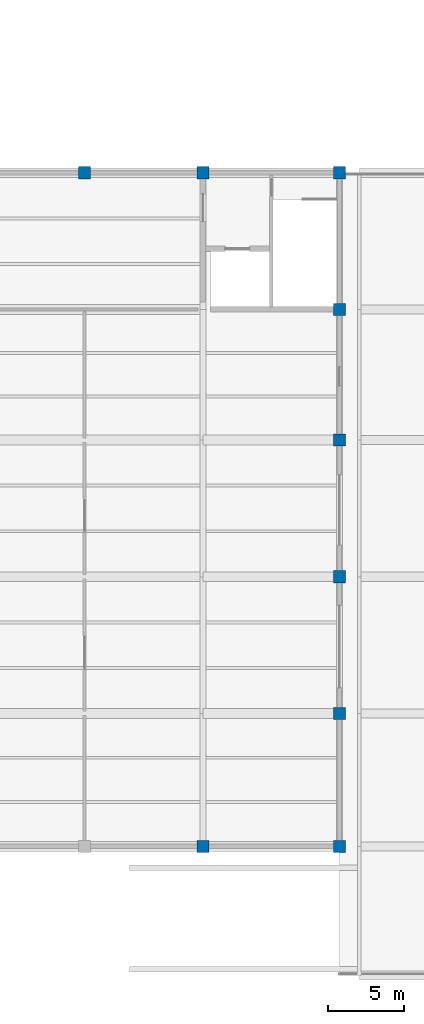
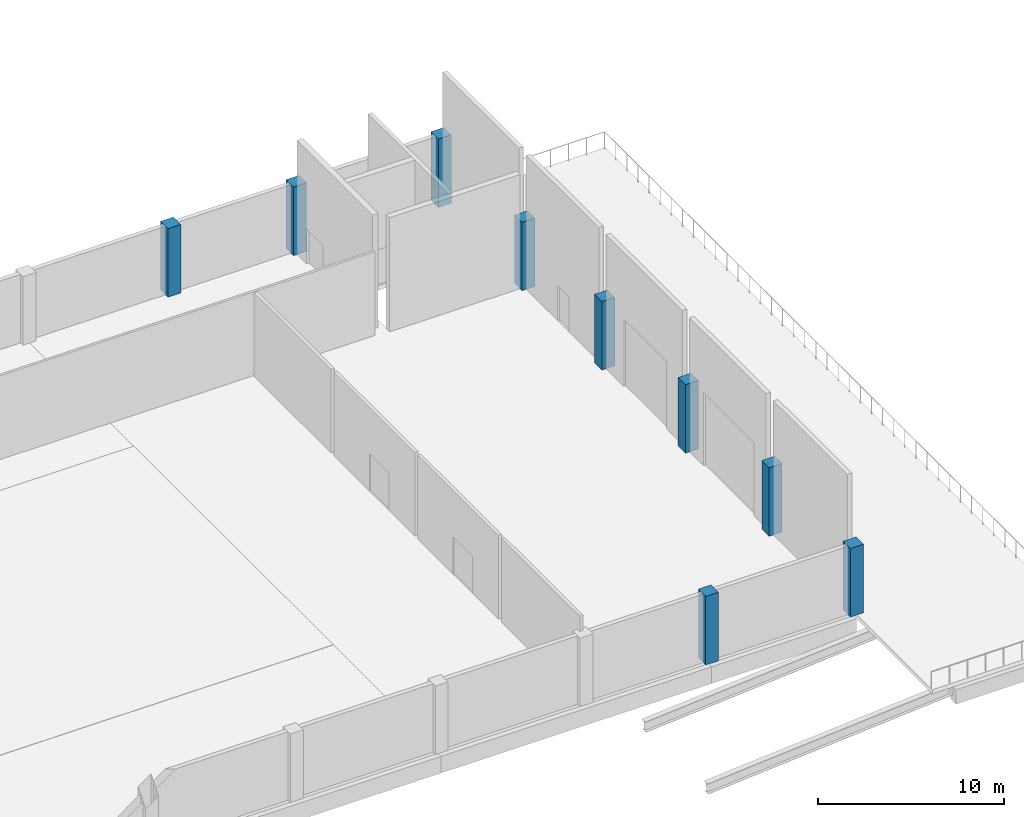
# One storey, part 18 of 134: 9 columns.
"""IFC4 building model written with IfcOpenShell, lengths in metres."""

from ifc_helpers import new_model, si_unit, direction, frame, origin, origin_2d, place, context, subcontext, project, spatial, rectangle, extrude, material, material_profile, profile_set, type_object, element, save


model = new_model("IFC4")

# Units and contexts
model_context = context("Model", 3, precision=1e-05, world=origin(), true_north=direction((0.0, 1.0)))
body_context = subcontext(model_context, "Body", "Model", "MODEL_VIEW")
ifc_project = project(units=[si_unit("LENGTHUNIT", "METRE"), si_unit("AREAUNIT", "SQUARE_METRE"), si_unit("VOLUMEUNIT", "CUBIC_METRE"), si_unit("PLANEANGLEUNIT", "RADIAN"), si_unit("MASSUNIT", "GRAM", prefix="KILO")], contexts=[model_context])

# Site, building, storey
site_placement = place(None, origin())
site = spatial("IfcSite", under=ifc_project, at=site_placement, CompositionType="ELEMENT")
building_placement = place(site_placement, origin())
building = spatial("IfcBuilding", under=site, at=building_placement, Name="Cazmaro Siding Exhibition Halls", CompositionType="ELEMENT")
storey_placement = place(building_placement, frame((0.0, 0.0, 12.0)))
storey = spatial("IfcBuildingStorey", under=building, at=storey_placement, Name="L02", CompositionType="ELEMENT", Elevation=12.0)

# Columns
ifc_material = material(Name="Concrete f'c 45 MPa", Category="concrete")
ifc_material_profile = material_profile(ifc_material, rectangle(XDim=0.800048828125, YDim=0.800048828125, at=origin_2d()), Name="RC800X800")
ifc_profile_set = profile_set([ifc_material_profile], Name="Concrete f'c 45 MPa")
column_type = type_object("IfcColumnType", Name="C-08", PredefinedType="COLUMN", material=ifc_profile_set)
for number, where, z_axis, x_axis, name in (
    (1, (189.0, 53.60009765625, 0.0), (0.0, 0.0, 1.0), (1.0, 0.0, 0.0), "Column C-08 COL-0647"),
    (2, (196.800048828125, 9.25, 0.0), (0.0, 0.0, 1.0), (1.0, 0.0, 0.0), "Column C-08 COL-0649"),
    (3, (196.800048828125, 53.60009765625, 0.0), (0.0, 0.0, 1.0), (1.0, 0.0, 0.0), "Column C-08 COL-0651"),
    (4, (205.800048828125, 9.25, 0.0), (0.0, 0.0, 1.0), (1.0, 0.0, 0.0), "Column C-08 COL-0653"),
    (5, (205.800048828125, 53.60009765625, 0.0), (0.0, 0.0, 1.0), (1.0, 0.0, 0.0), "Column C-08 COL-0655"),
    (6, (205.800048828125, 18.0, 0.0), (0.0, 0.0, 1.0), (1.0, 0.0, 0.0), "Column C-08 COL-0669"),
    (7, (205.800048828125, 27.0, 0.0), (0.0, 0.0, 1.0), (1.0, 0.0, 0.0), "Column C-08 COL-0671"),
    (8, (205.800048828125, 36.0, 0.0), (0.0, 0.0, 1.0), (1.0, 0.0, 0.0), "Column C-08 COL-0673"),
    (9, (205.800048828125, 44.60009765625, 0.0), (0.0, 0.0, 1.0), (1.0, 0.0, 0.0), "Column C-08 COL-0675"),
):
    element("IfcColumn", number, at=place(storey_placement, frame(where, z_axis=z_axis, x_axis=x_axis)), inside=storey, type_object=column_type, Name=name, PredefinedType="COLUMN", context=body_context, shape_type="SweptSolid", body=[
        extrude(rectangle(XDim=0.800048828125, YDim=0.800048828125, at=origin_2d()), origin(), (0.0, 0.0, 1.0), 4.5),
    ])

save(model, "model.ifc")
